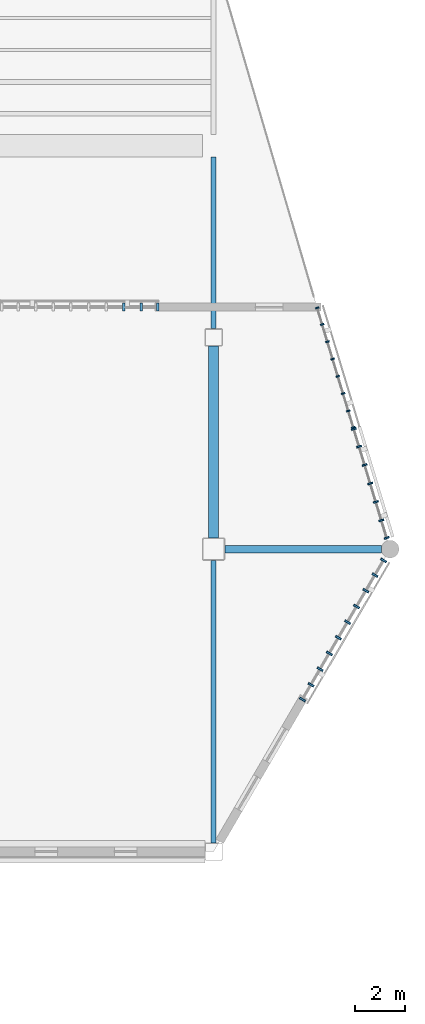
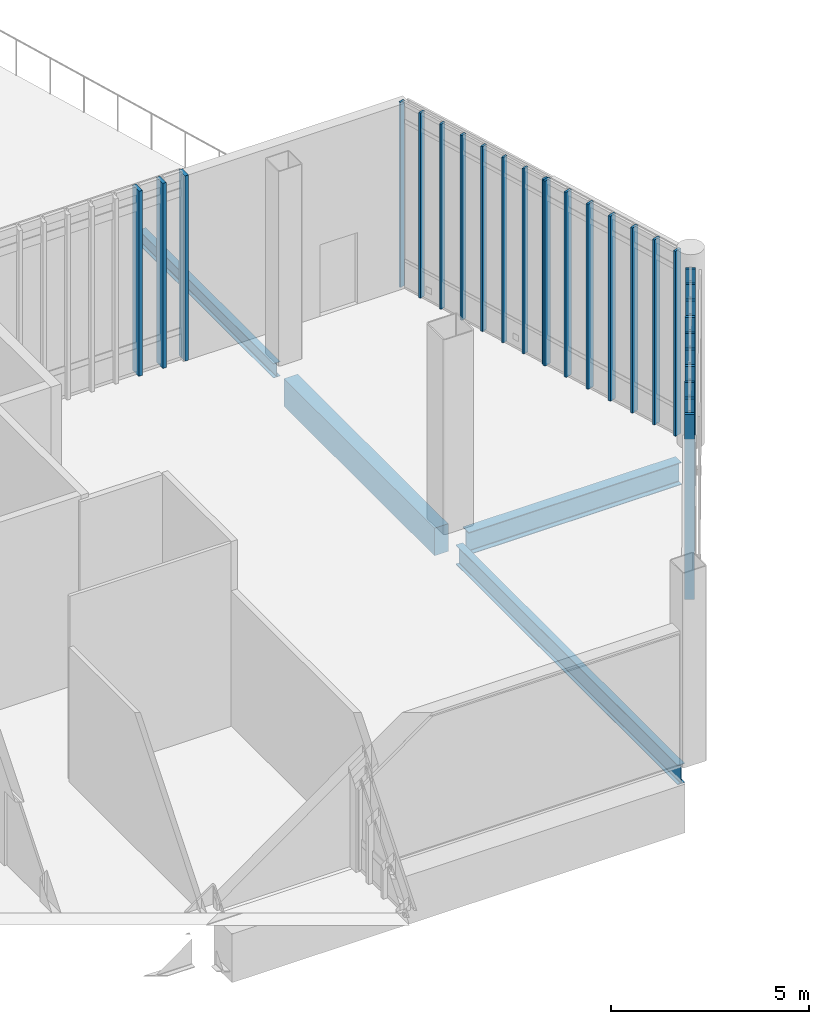
# One storey, part 41 of 135: 28 members, 4 beams, 4 elements without a shape of their own.
"""IFC4 building model written with IfcOpenShell, lengths in metres."""

from ifc_helpers import new_model, si_unit, direction, frame, origin, origin_2d, place, context, subcontext, project, spatial, rectangle, i_section, extrude, material, material_profile, profile_set, type_object, element, aggregate, save


model = new_model("IFC4")

# Units and contexts
model_context = context("Model", 3, precision=1e-05, world=origin(), true_north=direction((0.0, 1.0)))
body_context = subcontext(model_context, "Body", "Model", "MODEL_VIEW")
ifc_project = project(units=[si_unit("LENGTHUNIT", "METRE"), si_unit("AREAUNIT", "SQUARE_METRE"), si_unit("VOLUMEUNIT", "CUBIC_METRE"), si_unit("PLANEANGLEUNIT", "RADIAN"), si_unit("MASSUNIT", "GRAM", prefix="KILO")], contexts=[model_context])

# Site, building, storey
site_placement = place(None, origin())
site = spatial("IfcSite", under=ifc_project, at=site_placement, CompositionType="ELEMENT")
building_placement = place(site_placement, origin())
building = spatial("IfcBuilding", under=site, at=building_placement, Name="Larkvane Passage Sports Hall", CompositionType="ELEMENT")
storey_placement = place(building_placement, frame((0.0, 0.0, 10.800048828125)))
storey = spatial("IfcBuildingStorey", under=building, at=storey_placement, Name="L02", CompositionType="ELEMENT", Elevation=10.800048828125)

# Beams
ifc_material_1 = material(Name="Steel S355JR", Category="steel")
ifc_material_profile_1 = material_profile(ifc_material_1, i_section(OverallWidth=0.199951171875, OverallDepth=0.60009765625, WebThickness=0.010986328125, FlangeThickness=0.01708984375, FilletRadius=0.01806640625, at=origin_2d()), Name="H-600x200x11x17")
ifc_profile_set_1 = profile_set([ifc_material_profile_1], Name="Steel S355JR")
beam_type_1 = type_object("IfcBeamType", Name="BM-STL-H600", PredefinedType="BEAM", material=ifc_profile_set_1)
beam_1_placement = place(storey_placement, frame((145.60009765625, 63.949951171875, -0.719970703125), z_axis=(0.0, 1.0, 0.0), x_axis=(-1.0, 0.0, 0.0)))
element("IfcBeam", 1, at=beam_1_placement, inside=storey, type_object=beam_type_1, Name="Girder BM5-Y-L02-19-0793", PredefinedType="BEAM", context=body_context, shape_type="SweptSolid", body=[
    extrude(i_section(OverallWidth=0.199951171875, OverallDepth=0.60009765625, WebThickness=0.010986328125, FlangeThickness=0.01708984375, FilletRadius=0.01806640625, at=origin_2d()), origin(), (0.0, 0.0, 1.0), 11.199951171875),
])
ifc_material_2 = material(Name="Steel S460N", Category="steel")
ifc_material_profile_2 = material_profile(ifc_material_2, i_section(OverallWidth=0.300048828125, OverallDepth=0.69189453125, WebThickness=0.012939453125, FlangeThickness=0.02001953125, FilletRadius=0.02197265625, at=origin_2d()), Name="H-692x300x13x20")
ifc_profile_set_2 = profile_set([ifc_material_profile_2], Name="Steel S460N")
beam_type_2 = type_object("IfcBeamType", Name="BM-STL-H692", PredefinedType="BEAM", material=ifc_profile_set_2)
beam_2_placement = place(storey_placement, frame((146.050048828125, 75.60009765625, -0.76611328125), z_axis=(1.0, 0.0, 0.0), x_axis=(0.0, 1.0, 0.0)))
element("IfcBeam", 2, at=beam_2_placement, inside=storey, type_object=beam_type_2, Name="Girder BM5-X-L02-J-0723", PredefinedType="BEAM", context=body_context, shape_type="SweptSolid", body=[
    extrude(i_section(OverallWidth=0.300048828125, OverallDepth=0.69189453125, WebThickness=0.012939453125, FlangeThickness=0.02001953125, FilletRadius=0.02197265625, at=origin_2d()), origin(), (0.0, 0.0, 1.0), 6.199951171875),
])

# Curtain wall, members
ifc_material_3 = material(Name="Thermally broken aluminium and low-E glazing", Category="aluminium")
curtain_wall_type_1 = type_object("IfcCurtainWallType", Name="CW-CLINIC", PredefinedType="USERDEFINED", material=ifc_material_3)
curtain_wall_1_placement = place(storey_placement, origin())
curtain_wall_1 = element("IfcCurtainWall", 3, at=curtain_wall_1_placement, inside=storey, type_object=curtain_wall_type_1, Name="Curtain wall CW5-L02-067", ObjectType="UNITISED CURTAIN WALL", PredefinedType="USERDEFINED")
ifc_material_4 = material(Name="Anodised aluminium 6063-T6", Category="aluminium")
ifc_material_profile_3 = material_profile(ifc_material_4, rectangle(XDim=0.10009765625, YDim=0.320068359375, at=origin_2d()), Name="ALU-MUL-100x320")
ifc_profile_set_3 = profile_set([ifc_material_profile_3], Name="Anodised aluminium 6063-T6")
member_type_1 = type_object("IfcMemberType", Name="CW-MUL-100x320", PredefinedType="MULLION", material=ifc_profile_set_3)
member_1_placement = place(storey_placement, frame((142.030517578125, 85.199951171875, 0.0), z_axis=(0.0, 0.0, 1.0), x_axis=(1.0, 0.0, 0.0)))
member_1 = element("IfcMember", 4, at=member_1_placement, type_object=member_type_1, Name="CW-05 mullion 8", PredefinedType="MULLION", context=body_context, shape_type="SweptSolid", body=[
    extrude(rectangle(XDim=0.10009765625, YDim=0.320068359375, at=origin_2d()), origin(), (0.0, 0.0, 1.0), 5.699951171875),
])
member_2_placement = place(storey_placement, frame((142.727783203125, 85.199951171875, 0.0), z_axis=(0.0, 0.0, 1.0), x_axis=(1.0, 0.0, 0.0)))
member_2 = element("IfcMember", 5, at=member_2_placement, type_object=member_type_1, Name="CW-05 mullion 9", PredefinedType="MULLION", context=body_context, shape_type="SweptSolid", body=[
    extrude(rectangle(XDim=0.10009765625, YDim=0.320068359375, at=origin_2d()), origin(), (0.0, 0.0, 1.0), 5.699951171875),
])
member_3_placement = place(storey_placement, frame((143.375, 85.199951171875, 0.0), z_axis=(0.0, 0.0, 1.0), x_axis=(1.0, 0.0, 0.0)))
member_3 = element("IfcMember", 6, at=member_3_placement, type_object=member_type_1, Name="CW-05 mullion 10", PredefinedType="MULLION", context=body_context, shape_type="SweptSolid", body=[
    extrude(rectangle(XDim=0.10009765625, YDim=0.320068359375, at=origin_2d()), origin(), (0.0, 0.0, 1.0), 5.699951171875),
])
aggregate(curtain_wall_1, [member_1, member_2, member_3])

curtain_wall_type_2 = type_object("IfcCurtainWallType", Name="CW-UNIT-COURT", PredefinedType="USERDEFINED", material=ifc_material_3)
curtain_wall_2_placement = place(storey_placement, origin())
curtain_wall_2 = element("IfcCurtainWall", 7, at=curtain_wall_2_placement, inside=storey, type_object=curtain_wall_type_2, Name="Curtain wall CW5-L02-068", ObjectType="UNITISED CURTAIN WALL", PredefinedType="USERDEFINED")
ifc_material_profile_4 = material_profile(ifc_material_4, rectangle(XDim=0.06005859375, YDim=0.14990234375, at=origin_2d()), Name="ALU-MUL-60x150")
ifc_profile_set_4 = profile_set([ifc_material_profile_4], Name="Anodised aluminium 6063-T6")
member_type_2 = type_object("IfcMemberType", Name="CW-MUL-60x150", PredefinedType="MULLION", material=ifc_profile_set_4)
member_4_placement = place(storey_placement, frame((149.708740234375, 85.17138671875, 0.0), z_axis=(0.0, 0.0, 1.0), x_axis=(0.289177016584, -0.957275641119, 0.0)))
member_4 = element("IfcMember", 8, at=member_4_placement, type_object=member_type_2, Name="CW-01 mullion 1", PredefinedType="MULLION", context=body_context, shape_type="SweptSolid", body=[
    extrude(rectangle(XDim=0.06005859375, YDim=0.14990234375, at=origin_2d()), origin(), (0.0, 0.0, 1.0), 5.699951171875),
])
member_5_placement = place(storey_placement, frame((149.9072265625, 84.514404296875, 0.0), z_axis=(0.0, 0.0, 1.0), x_axis=(0.289177016584, -0.957275641119, 0.0)))
member_5 = element("IfcMember", 9, at=member_5_placement, type_object=member_type_2, Name="CW-01 mullion 2", PredefinedType="MULLION", context=body_context, shape_type="SweptSolid", body=[
    extrude(rectangle(XDim=0.06005859375, YDim=0.14990234375, at=origin_2d()), origin(), (0.0, 0.0, 1.0), 5.699951171875),
])
member_6_placement = place(storey_placement, frame((150.1142578125, 83.82861328125, 0.0), z_axis=(0.0, 0.0, 1.0), x_axis=(0.289177016584, -0.957275641119, 0.0)))
member_6 = element("IfcMember", 10, at=member_6_placement, type_object=member_type_2, Name="CW-01 mullion 3", PredefinedType="MULLION", context=body_context, shape_type="SweptSolid", body=[
    extrude(rectangle(XDim=0.06005859375, YDim=0.14990234375, at=origin_2d()), origin(), (0.0, 0.0, 1.0), 5.699951171875),
])
member_7_placement = place(storey_placement, frame((150.321533203125, 83.142822265625, 0.0), z_axis=(0.0, 0.0, 1.0), x_axis=(0.289177016584, -0.957275641119, 0.0)))
member_7 = element("IfcMember", 11, at=member_7_placement, type_object=member_type_2, Name="CW-01 mullion 4", PredefinedType="MULLION", context=body_context, shape_type="SweptSolid", body=[
    extrude(rectangle(XDim=0.06005859375, YDim=0.14990234375, at=origin_2d()), origin(), (0.0, 0.0, 1.0), 5.699951171875),
])
member_8_placement = place(storey_placement, frame((150.528564453125, 82.45703125, 0.0), z_axis=(0.0, 0.0, 1.0), x_axis=(0.289177016584, -0.957275641119, 0.0)))
member_8 = element("IfcMember", 12, at=member_8_placement, type_object=member_type_2, Name="CW-01 mullion 5", PredefinedType="MULLION", context=body_context, shape_type="SweptSolid", body=[
    extrude(rectangle(XDim=0.06005859375, YDim=0.14990234375, at=origin_2d()), origin(), (0.0, 0.0, 1.0), 5.699951171875),
])
member_9_placement = place(storey_placement, frame((150.735595703125, 81.771484375, 0.0), z_axis=(0.0, 0.0, 1.0), x_axis=(0.289177016584, -0.957275641119, 0.0)))
member_9 = element("IfcMember", 13, at=member_9_placement, type_object=member_type_2, Name="CW-01 mullion 6", PredefinedType="MULLION", context=body_context, shape_type="SweptSolid", body=[
    extrude(rectangle(XDim=0.06005859375, YDim=0.14990234375, at=origin_2d()), origin(), (0.0, 0.0, 1.0), 5.699951171875),
])
member_10_placement = place(storey_placement, frame((150.94287109375, 81.085693359375, 0.0), z_axis=(0.0, 0.0, 1.0), x_axis=(0.289177016584, -0.957275641119, 0.0)))
member_10 = element("IfcMember", 14, at=member_10_placement, type_object=member_type_2, Name="CW-01 mullion 7", PredefinedType="MULLION", context=body_context, shape_type="SweptSolid", body=[
    extrude(rectangle(XDim=0.06005859375, YDim=0.14990234375, at=origin_2d()), origin(), (0.0, 0.0, 1.0), 5.699951171875),
])
member_11_placement = place(storey_placement, frame((151.141357421875, 80.4287109375, 0.0), z_axis=(0.0, 0.0, 1.0), x_axis=(0.289177016584, -0.957275641119, 0.0)))
member_11 = element("IfcMember", 15, at=member_11_placement, type_object=member_type_2, Name="CW-01 mullion 8", PredefinedType="MULLION", context=body_context, shape_type="SweptSolid", body=[
    extrude(rectangle(XDim=0.06005859375, YDim=0.14990234375, at=origin_2d()), origin(), (0.0, 0.0, 1.0), 5.699951171875),
])
aggregate(curtain_wall_2, [member_4, member_5, member_6, member_7, member_8, member_9, member_10, member_11])

curtain_wall_type_3 = type_object("IfcCurtainWallType", Name="CW-UNIT-VEIL", PredefinedType="USERDEFINED", material=ifc_material_3)
curtain_wall_3_placement = place(storey_placement, origin())
curtain_wall_3 = element("IfcCurtainWall", 16, at=curtain_wall_3_placement, inside=storey, type_object=curtain_wall_type_3, Name="Curtain wall CW5-L02-069", ObjectType="UNITISED CURTAIN WALL", PredefinedType="USERDEFINED")
ifc_material_profile_5 = material_profile(ifc_material_4, rectangle(XDim=0.070068359375, YDim=0.199951171875, at=origin_2d()), Name="ALU-MUL-70x200")
ifc_profile_set_5 = profile_set([ifc_material_profile_5], Name="Anodised aluminium 6063-T6")
member_type_3 = type_object("IfcMemberType", Name="CW-MUL-70x200", PredefinedType="MULLION", material=ifc_profile_set_5)
member_12_placement = place(storey_placement, frame((151.16015625, 80.366455078125, 0.0), z_axis=(0.0, 0.0, 1.0), x_axis=(0.289177433255, -0.957275515249, 0.0)))
member_12 = element("IfcMember", 17, at=member_12_placement, type_object=member_type_3, Name="CW-02 mullion 1", PredefinedType="MULLION", context=body_context, shape_type="SweptSolid", body=[
    extrude(rectangle(XDim=0.070068359375, YDim=0.199951171875, at=origin_2d()), origin(), (0.0, 0.0, 1.0), 5.699951171875),
])
member_13_placement = place(storey_placement, frame((151.370849609375, 79.6689453125, 0.0), z_axis=(0.0, 0.0, 1.0), x_axis=(0.289177433255, -0.957275515249, 0.0)))
member_13 = element("IfcMember", 18, at=member_13_placement, type_object=member_type_3, Name="CW-02 mullion 2", PredefinedType="MULLION", context=body_context, shape_type="SweptSolid", body=[
    extrude(rectangle(XDim=0.070068359375, YDim=0.199951171875, at=origin_2d()), origin(), (0.0, 0.0, 1.0), 5.699951171875),
])
member_14_placement = place(storey_placement, frame((151.591552734375, 78.93798828125, 0.0), z_axis=(0.0, 0.0, 1.0), x_axis=(0.289177433255, -0.957275515249, 0.0)))
member_14 = element("IfcMember", 19, at=member_14_placement, type_object=member_type_3, Name="CW-02 mullion 3", PredefinedType="MULLION", context=body_context, shape_type="SweptSolid", body=[
    extrude(rectangle(XDim=0.070068359375, YDim=0.199951171875, at=origin_2d()), origin(), (0.0, 0.0, 1.0), 5.699951171875),
])
member_15_placement = place(storey_placement, frame((151.8125, 78.206787109375, 0.0), z_axis=(0.0, 0.0, 1.0), x_axis=(0.289177433255, -0.957275515249, 0.0)))
member_15 = element("IfcMember", 20, at=member_15_placement, type_object=member_type_3, Name="CW-02 mullion 4", PredefinedType="MULLION", context=body_context, shape_type="SweptSolid", body=[
    extrude(rectangle(XDim=0.070068359375, YDim=0.199951171875, at=origin_2d()), origin(), (0.0, 0.0, 1.0), 5.699951171875),
])
member_16_placement = place(storey_placement, frame((152.033447265625, 77.475830078125, 0.0), z_axis=(0.0, 0.0, 1.0), x_axis=(0.289177433255, -0.957275515249, 0.0)))
member_16 = element("IfcMember", 21, at=member_16_placement, type_object=member_type_3, Name="CW-02 mullion 5", PredefinedType="MULLION", context=body_context, shape_type="SweptSolid", body=[
    extrude(rectangle(XDim=0.070068359375, YDim=0.199951171875, at=origin_2d()), origin(), (0.0, 0.0, 1.0), 5.699951171875),
])
member_17_placement = place(storey_placement, frame((152.254150390625, 76.744873046875, 0.0), z_axis=(0.0, 0.0, 1.0), x_axis=(0.289177433255, -0.957275515249, 0.0)))
member_17 = element("IfcMember", 22, at=member_17_placement, type_object=member_type_3, Name="CW-02 mullion 6", PredefinedType="MULLION", context=body_context, shape_type="SweptSolid", body=[
    extrude(rectangle(XDim=0.070068359375, YDim=0.199951171875, at=origin_2d()), origin(), (0.0, 0.0, 1.0), 5.699951171875),
])
member_18_placement = place(storey_placement, frame((152.46484375, 76.04736328125, 0.0), z_axis=(0.0, 0.0, 1.0), x_axis=(0.289177433255, -0.957275515249, 0.0)))
member_18 = element("IfcMember", 23, at=member_18_placement, type_object=member_type_3, Name="CW-02 mullion 7", PredefinedType="MULLION", context=body_context, shape_type="SweptSolid", body=[
    extrude(rectangle(XDim=0.070068359375, YDim=0.199951171875, at=origin_2d()), origin(), (0.0, 0.0, 1.0), 5.699951171875),
])
aggregate(curtain_wall_3, [member_12, member_13, member_14, member_15, member_16, member_17, member_18])

curtain_wall_type_4 = type_object("IfcCurtainWallType", Name="CW-STICK-FOYER", PredefinedType="USERDEFINED", material=ifc_material_3)
curtain_wall_4_placement = place(storey_placement, origin())
curtain_wall_4 = element("IfcCurtainWall", 24, at=curtain_wall_4_placement, inside=storey, type_object=curtain_wall_type_4, Name="Curtain wall CW5-L02-070", ObjectType="STICK CURTAIN WALL", PredefinedType="USERDEFINED")
ifc_material_profile_6 = material_profile(ifc_material_4, rectangle(XDim=0.080078125, YDim=0.25, at=origin_2d()), Name="ALU-MUL-80x250")
ifc_profile_set_6 = profile_set([ifc_material_profile_6], Name="Anodised aluminium 6063-T6")
member_type_4 = type_object("IfcMemberType", Name="CW-MUL-80x250", PredefinedType="MULLION", material=ifc_profile_set_6)
member_19_placement = place(storey_placement, frame((152.340576171875, 75.155517578125, 0.0), z_axis=(0.0, 0.0, 1.0), x_axis=(-0.503867182467, -0.86378114267, 0.0)))
member_19 = element("IfcMember", 25, at=member_19_placement, type_object=member_type_4, Name="CW-03 mullion 1", PredefinedType="MULLION", context=body_context, shape_type="SweptSolid", body=[
    extrude(rectangle(XDim=0.080078125, YDim=0.25, at=origin_2d()), origin(), (0.0, 0.0, 1.0), 5.699951171875),
])
member_20_placement = place(storey_placement, frame((151.99853515625, 74.56884765625, 0.0), z_axis=(0.0, 0.0, 1.0), x_axis=(-0.503867182467, -0.86378114267, 0.0)))
member_20 = element("IfcMember", 26, at=member_20_placement, type_object=member_type_4, Name="CW-03 mullion 2", PredefinedType="MULLION", context=body_context, shape_type="SweptSolid", body=[
    extrude(rectangle(XDim=0.080078125, YDim=0.25, at=origin_2d()), origin(), (0.0, 0.0, 1.0), 5.699951171875),
])
member_21_placement = place(storey_placement, frame((151.63623046875, 73.94775390625, 0.0), z_axis=(0.0, 0.0, 1.0), x_axis=(-0.503867182467, -0.86378114267, 0.0)))
member_21 = element("IfcMember", 27, at=member_21_placement, type_object=member_type_4, Name="CW-03 mullion 3", PredefinedType="MULLION", context=body_context, shape_type="SweptSolid", body=[
    extrude(rectangle(XDim=0.080078125, YDim=0.25, at=origin_2d()), origin(), (0.0, 0.0, 1.0), 5.699951171875),
])
member_22_placement = place(storey_placement, frame((151.27392578125, 73.32666015625, 0.0), z_axis=(0.0, 0.0, 1.0), x_axis=(-0.503867182467, -0.86378114267, 0.0)))
member_22 = element("IfcMember", 28, at=member_22_placement, type_object=member_type_4, Name="CW-03 mullion 4", PredefinedType="MULLION", context=body_context, shape_type="SweptSolid", body=[
    extrude(rectangle(XDim=0.080078125, YDim=0.25, at=origin_2d()), origin(), (0.0, 0.0, 1.0), 5.699951171875),
])
member_23_placement = place(storey_placement, frame((150.91162109375, 72.70556640625, 0.0), z_axis=(0.0, 0.0, 1.0), x_axis=(-0.503867182467, -0.86378114267, 0.0)))
member_23 = element("IfcMember", 29, at=member_23_placement, type_object=member_type_4, Name="CW-03 mullion 5", PredefinedType="MULLION", context=body_context, shape_type="SweptSolid", body=[
    extrude(rectangle(XDim=0.080078125, YDim=0.25, at=origin_2d()), origin(), (0.0, 0.0, 1.0), 5.699951171875),
])
member_24_placement = place(storey_placement, frame((150.54931640625, 72.08447265625, 0.0), z_axis=(0.0, 0.0, 1.0), x_axis=(-0.503867182467, -0.86378114267, 0.0)))
member_24 = element("IfcMember", 30, at=member_24_placement, type_object=member_type_4, Name="CW-03 mullion 6", PredefinedType="MULLION", context=body_context, shape_type="SweptSolid", body=[
    extrude(rectangle(XDim=0.080078125, YDim=0.25, at=origin_2d()), origin(), (0.0, 0.0, 1.0), 5.699951171875),
])
member_25_placement = place(storey_placement, frame((150.18701171875, 71.46337890625, 0.0), z_axis=(0.0, 0.0, 1.0), x_axis=(-0.503867182467, -0.86378114267, 0.0)))
member_25 = element("IfcMember", 31, at=member_25_placement, type_object=member_type_4, Name="CW-03 mullion 7", PredefinedType="MULLION", context=body_context, shape_type="SweptSolid", body=[
    extrude(rectangle(XDim=0.080078125, YDim=0.25, at=origin_2d()), origin(), (0.0, 0.0, 1.0), 5.699951171875),
])
member_26_placement = place(storey_placement, frame((149.82470703125, 70.84228515625, 0.0), z_axis=(0.0, 0.0, 1.0), x_axis=(-0.503867182467, -0.86378114267, 0.0)))
member_26 = element("IfcMember", 32, at=member_26_placement, type_object=member_type_4, Name="CW-03 mullion 8", PredefinedType="MULLION", context=body_context, shape_type="SweptSolid", body=[
    extrude(rectangle(XDim=0.080078125, YDim=0.25, at=origin_2d()), origin(), (0.0, 0.0, 1.0), 5.699951171875),
])
member_27_placement = place(storey_placement, frame((149.46240234375, 70.22119140625, 0.0), z_axis=(0.0, 0.0, 1.0), x_axis=(-0.503867182467, -0.86378114267, 0.0)))
member_27 = element("IfcMember", 33, at=member_27_placement, type_object=member_type_4, Name="CW-03 mullion 9", PredefinedType="MULLION", context=body_context, shape_type="SweptSolid", body=[
    extrude(rectangle(XDim=0.080078125, YDim=0.25, at=origin_2d()), origin(), (0.0, 0.0, 1.0), 5.699951171875),
])
member_28_placement = place(storey_placement, frame((149.1201171875, 69.634521484375, 0.0), z_axis=(0.0, 0.0, 1.0), x_axis=(-0.503867182467, -0.86378114267, 0.0)))
member_28 = element("IfcMember", 34, at=member_28_placement, type_object=member_type_4, Name="CW-03 mullion 10", PredefinedType="MULLION", context=body_context, shape_type="SweptSolid", body=[
    extrude(rectangle(XDim=0.080078125, YDim=0.25, at=origin_2d()), origin(), (0.0, 0.0, 1.0), 5.699951171875),
])
aggregate(curtain_wall_4, [member_19, member_20, member_21, member_22, member_23, member_24, member_25, member_26, member_27, member_28])

# Beams
ifc_material_5 = material(Name="Concrete C40/50", Category="concrete")
ifc_material_profile_7 = material_profile(ifc_material_5, rectangle(XDim=0.39990234375, YDim=0.85009765625, at=origin_2d()), Name="RC-SP-400x850")
ifc_profile_set_7 = profile_set([ifc_material_profile_7], Name="Concrete C40/50")
beam_type_3 = type_object("IfcBeamType", Name="SP-RC-400x850", PredefinedType="SPANDREL", material=ifc_profile_set_7)
beam_3_placement = place(storey_placement, frame((145.60009765625, 76.050048828125, -0.844970703125), z_axis=(0.0, 1.0, 0.0), x_axis=(-1.0, 0.0, 0.0)))
element("IfcBeam", 35, at=beam_3_placement, inside=storey, type_object=beam_type_3, Name="Girder BM5-Y-L02-19-0794", PredefinedType="SPANDREL", context=body_context, shape_type="SweptSolid", body=[
    extrude(rectangle(XDim=0.39990234375, YDim=0.85009765625, at=origin_2d()), origin(), (0.0, 0.0, 1.0), 7.599853515625),
])
ifc_material_profile_8 = material_profile(ifc_material_1, i_section(OverallWidth=0.199951171875, OverallDepth=0.449951171875, WebThickness=0.009033203125, FlangeThickness=0.013916015625, FilletRadius=0.01806640625, at=origin_2d()), Name="H-450x200x9x14")
ifc_profile_set_8 = profile_set([ifc_material_profile_8], Name="Steel S355JR")
beam_type_4 = type_object("IfcBeamType", Name="SP-STL-H450", PredefinedType="SPANDREL", material=ifc_profile_set_8)
beam_4_placement = place(storey_placement, frame((145.60009765625, 84.35009765625, -0.64501953125), z_axis=(0.0, 1.0, 0.0), x_axis=(-1.0, 0.0, 0.0)))
element("IfcBeam", 36, at=beam_4_placement, inside=storey, type_object=beam_type_4, Name="Girder BM5-Y-L02-19-0795", PredefinedType="SPANDREL", context=body_context, shape_type="SweptSolid", body=[
    extrude(i_section(OverallWidth=0.199951171875, OverallDepth=0.449951171875, WebThickness=0.009033203125, FlangeThickness=0.013916015625, FilletRadius=0.01806640625, at=origin_2d()), origin(), (0.0, 0.0, 1.0), 6.7998046875),
])

save(model, "model.ifc")
